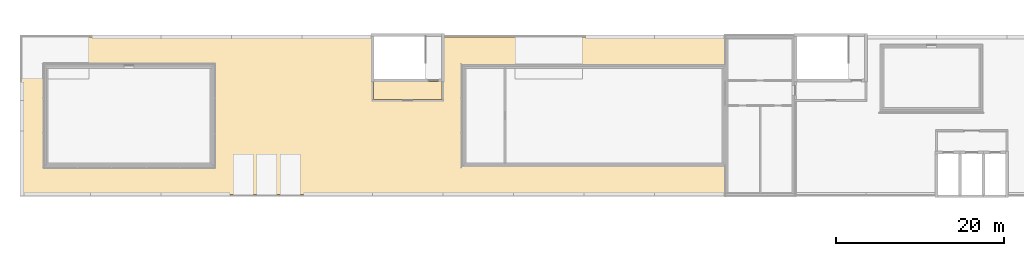
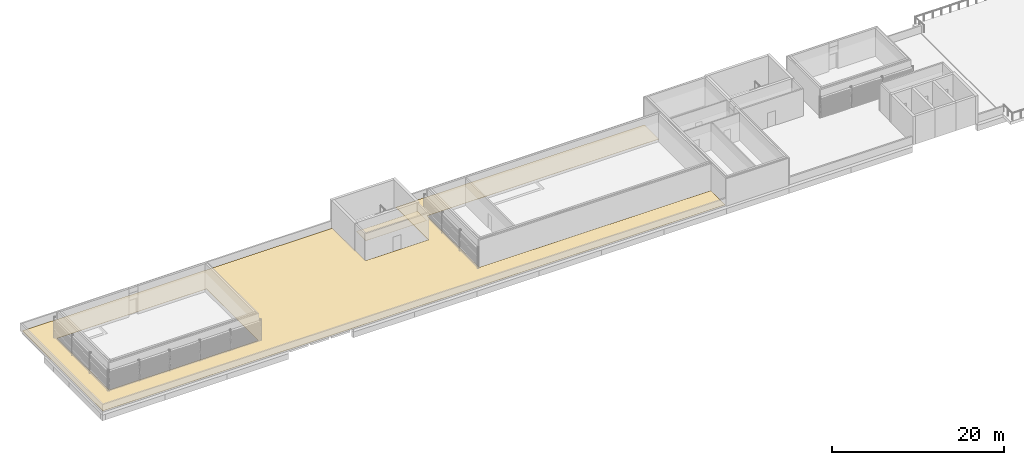
# One storey, part 7 of 13: 2 coverings.
"""IFC4 building model written with IfcOpenShell, lengths in metres."""

from ifc_helpers import new_model, si_unit, direction, frame, origin, place, context, subcontext, project, spatial, polyline, outline, extrude, material, layer, layer_set, type_object, element, save


model = new_model("IFC4")

# Units and contexts
model_context = context("Model", 3, precision=1e-05, world=origin(), true_north=direction((0.0, 1.0)))
body_context = subcontext(model_context, "Body", "Model", "MODEL_VIEW")
ifc_project = project(units=[si_unit("LENGTHUNIT", "METRE"), si_unit("AREAUNIT", "SQUARE_METRE"), si_unit("VOLUMEUNIT", "CUBIC_METRE"), si_unit("PLANEANGLEUNIT", "RADIAN"), si_unit("MASSUNIT", "GRAM", prefix="KILO")], contexts=[model_context])

# Site, building, storey
site_placement = place(None, origin())
site = spatial("IfcSite", under=ifc_project, at=site_placement, CompositionType="ELEMENT")
building_placement = place(site_placement, origin())
building = spatial("IfcBuilding", under=site, at=building_placement, Name="Bougainvillea Quay General Hospital", CompositionType="ELEMENT")
storey_placement = place(building_placement, frame((0.0, 0.0, 36.60009765625)))
storey = spatial("IfcBuildingStorey", under=building, at=storey_placement, Name="L08", CompositionType="ELEMENT", Elevation=36.60009765625)

# Coverings
ifc_material_1 = material(Name="Bitumen roofing membrane with mineral cap sheet, dark grey")
ifc_layer_1 = layer(ifc_material_1, 0.030029296875)
ifc_layer_set_1 = layer_set([ifc_layer_1], Name="Bitumen roofing membrane with mineral cap sheet, dark grey")
covering_type_1 = type_object("IfcCoveringType", Name="Roof membrane 30", PredefinedType="ROOFING", material=ifc_layer_set_1)
covering_1_placement = place(storey_placement, origin())
element("IfcCovering", 1, at=covering_1_placement, inside=storey, type_object=covering_type_1, Name="Roof membrane 0 1", PredefinedType="ROOFING", context=body_context, shape_type="SweptSolid", body=[
    extrude(outline(polyline([(42.199951171875, 159.39990234375), (83.949951171875, 159.39990234375), (83.949951171875, 151.800048828125), (83.9501953125, 151.795166015625), (83.950927734375, 151.790283203125), (83.9521484375, 151.785400390625), (83.953857421875, 151.78076171875), (83.955810546875, 151.7763671875), (83.95849609375, 151.772216796875), (83.96142578125, 151.768310546875), (83.964599609375, 151.7646484375), (83.96826171875, 151.76123046875), (83.97216796875, 151.758544921875), (83.976318359375, 151.755859375), (83.98095703125, 151.75390625), (83.985595703125, 151.752197265625), (83.990234375, 151.7509765625), (83.9951171875, 151.750244140625), (84.0, 151.75), (92.39990234375, 151.75), (92.40478515625, 151.750244140625), (92.40966796875, 151.7509765625), (92.41455078125, 151.752197265625), (92.419189453125, 151.75390625), (92.423583984375, 151.755859375), (92.427734375, 151.758544921875), (92.431640625, 151.76123046875), (92.435302734375, 151.7646484375), (92.438720703125, 151.768310546875), (92.441650390625, 151.772216796875), (92.444091796875, 151.7763671875), (92.4462890625, 151.78076171875), (92.44775390625, 151.785400390625), (92.448974609375, 151.790283203125), (92.44970703125, 151.795166015625), (92.449951171875, 151.800048828125), (92.449951171875, 159.39990234375), (125.949951171875, 159.39990234375), (125.949951171875, 156.050048828125), (94.800048828125, 156.050048828125), (94.795166015625, 156.0498046875), (94.790283203125, 156.049072265625), (94.785400390625, 156.0478515625), (94.78076171875, 156.046142578125), (94.7763671875, 156.044189453125), (94.772216796875, 156.04150390625), (94.768310546875, 156.03857421875), (94.7646484375, 156.035400390625), (94.76123046875, 156.03173828125), (94.758544921875, 156.02783203125), (94.755859375, 156.023681640625), (94.75390625, 156.01904296875), (94.752197265625, 156.014404296875), (94.7509765625, 156.009765625), (94.750244140625, 156.0048828125), (94.75, 156.0), (94.75, 144.0), (94.750244140625, 143.9951171875), (94.7509765625, 143.990234375), (94.752197265625, 143.985595703125), (94.75390625, 143.98095703125), (94.755859375, 143.976318359375), (94.758544921875, 143.97216796875), (94.76123046875, 143.96826171875), (94.7646484375, 143.964599609375), (94.768310546875, 143.96142578125), (94.772216796875, 143.95849609375), (94.7763671875, 143.955810546875), (94.78076171875, 143.953857421875), (94.785400390625, 143.9521484375), (94.790283203125, 143.950927734375), (94.795166015625, 143.9501953125), (94.800048828125, 143.949951171875), (125.949951171875, 143.949951171875), (125.949951171875, 140.60009765625), (42.199951171875, 140.60009765625), (42.199951171875, 159.39990234375)]), holes=[polyline([(45.0, 156.050048828125), (44.9951171875, 156.0498046875), (44.990234375, 156.049072265625), (44.985595703125, 156.0478515625), (44.98095703125, 156.046142578125), (44.976318359375, 156.044189453125), (44.97216796875, 156.04150390625), (44.96826171875, 156.03857421875), (44.964599609375, 156.035400390625), (44.96142578125, 156.03173828125), (44.95849609375, 156.02783203125), (44.955810546875, 156.023681640625), (44.953857421875, 156.01904296875), (44.9521484375, 156.014404296875), (44.950927734375, 156.009765625), (44.9501953125, 156.0048828125), (44.949951171875, 156.0), (44.949951171875, 144.0), (44.9501953125, 143.9951171875), (44.950927734375, 143.990234375), (44.9521484375, 143.985595703125), (44.953857421875, 143.98095703125), (44.955810546875, 143.976318359375), (44.95849609375, 143.97216796875), (44.96142578125, 143.96826171875), (44.964599609375, 143.964599609375), (44.96826171875, 143.96142578125), (44.97216796875, 143.95849609375), (44.976318359375, 143.955810546875), (44.98095703125, 143.953857421875), (44.985595703125, 143.9521484375), (44.990234375, 143.950927734375), (44.9951171875, 143.9501953125), (45.0, 143.949951171875), (65.0, 143.949951171875), (65.0048828125, 143.9501953125), (65.009765625, 143.950927734375), (65.014404296875, 143.9521484375), (65.01904296875, 143.953857421875), (65.023681640625, 143.955810546875), (65.02783203125, 143.95849609375), (65.03173828125, 143.96142578125), (65.035400390625, 143.964599609375), (65.03857421875, 143.96826171875), (65.04150390625, 143.97216796875), (65.044189453125, 143.976318359375), (65.046142578125, 143.98095703125), (65.0478515625, 143.985595703125), (65.049072265625, 143.990234375), (65.0498046875, 143.9951171875), (65.050048828125, 144.0), (65.050048828125, 156.0), (65.0498046875, 156.0048828125), (65.049072265625, 156.009765625), (65.0478515625, 156.014404296875), (65.046142578125, 156.01904296875), (65.044189453125, 156.023681640625), (65.04150390625, 156.02783203125), (65.03857421875, 156.03173828125), (65.035400390625, 156.035400390625), (65.03173828125, 156.03857421875), (65.02783203125, 156.04150390625), (65.023681640625, 156.044189453125), (65.01904296875, 156.046142578125), (65.014404296875, 156.0478515625), (65.009765625, 156.049072265625), (65.0048828125, 156.0498046875), (65.0, 156.050048828125), (45.0, 156.050048828125)])]), origin(), (0.0, 0.0, 1.0), 0.02978515625),
])
ifc_material_2 = material(Name="Mineral fibre ceiling tile")
ifc_layer_2 = layer(ifc_material_2, 0.030029296875)
ifc_layer_set_2 = layer_set([ifc_layer_2], Name="Mineral fibre ceiling tile")
covering_type_2 = type_object("IfcCoveringType", Name="Suspended ceiling mineral fibre tile", PredefinedType="CEILING", material=ifc_layer_set_2)
covering_2_placement = place(storey_placement, frame((0.0, 0.0, 2.699951171875)))
element("IfcCovering", 2, at=covering_2_placement, inside=storey, type_object=covering_type_2, Name="Ceiling Smoke-proof Vestibule ST-A2", PredefinedType="CEILING", context=body_context, shape_type="SweptSolid", body=[
    extrude(outline(polyline([(92.300048828125, 154.10009765625), (84.10009765625, 154.10009765625), (84.10009765625, 151.89990234375), (92.300048828125, 151.89990234375), (92.300048828125, 154.10009765625)])), origin(), (0.0, 0.0, 1.0), 0.030029296875),
])

save(model, "model.ifc")
